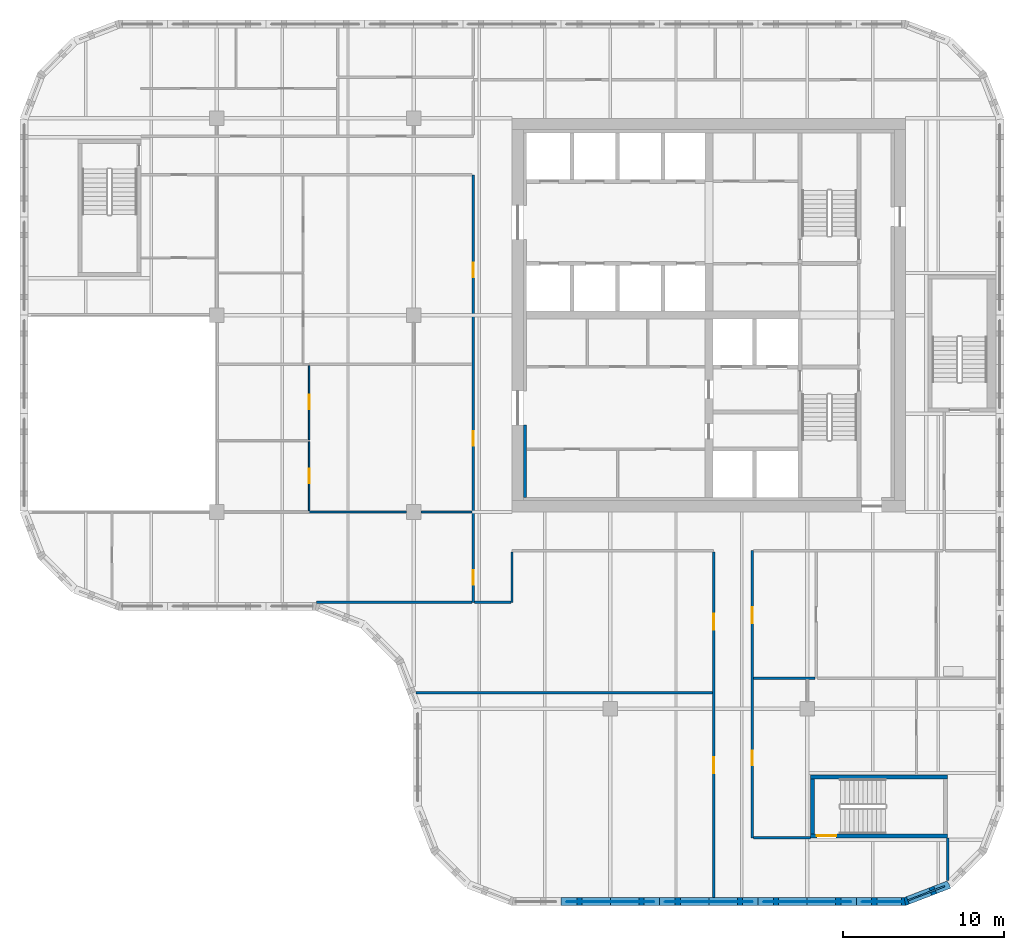
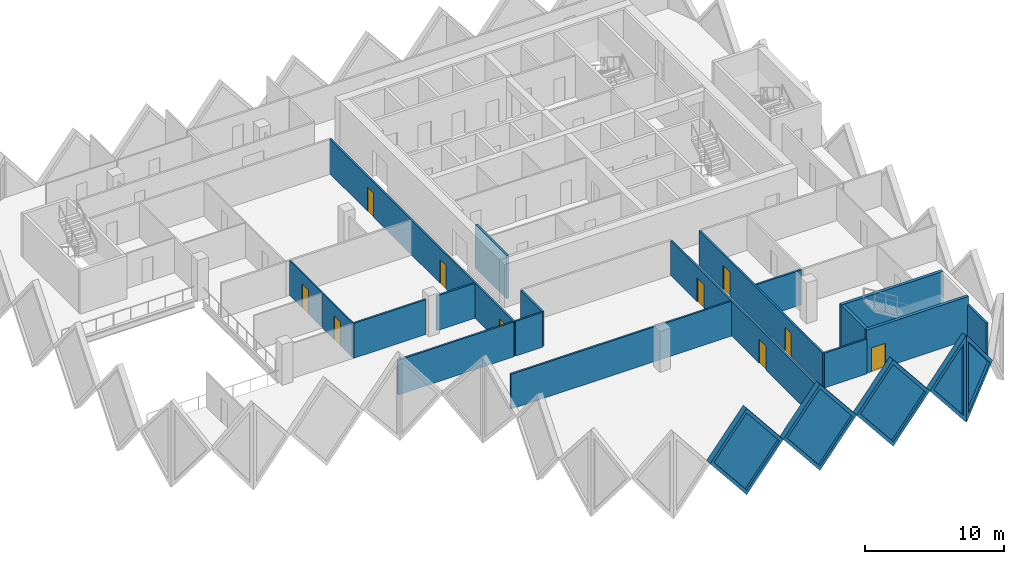
# One storey, part 4 of 12: 23 walls, 10 doors, 5 plates, 15 openings.
"""IFC4 building model written with IfcOpenShell, lengths in metres."""

import ifcopenshell
import ifcopenshell.guid

model = None  # the IFC model being written
_history = None  # IfcOwnerHistory: only IFC2X3 demands one
_inside = {}  # id of a spatial element -> (the spatial element, [elements in it])
_under = {}  # id of a project, library or spatial element -> (it, [spatial elements below it])
_declared = {}  # id of a project -> (the project, [libraries it declares])
_typed = {}  # id of a type object -> (the type object, [elements of that type])
_made_of = {}  # id of a material, layer set ... -> (it, [elements and type objects made of it])


def new_model(schema):
    """Start an empty IFC model of exactly this schema.

    Asked for "IFC4X3", IfcOpenShell would pick the latest addendum, in which some entities
    have other attributes; the version numbers below select the first issue.
    IFC2X3 requires an IfcOwnerHistory on every rooted entity: one is made here for all.
    """
    global model, _history
    if schema == "IFC4X3":
        model = ifcopenshell.file(schema_version=(4, 3, 0, 0))
    else:
        model = ifcopenshell.file(schema=schema)
    _inside.clear()
    _under.clear()
    _declared.clear()
    _typed.clear()
    _made_of.clear()
    _history = None
    if model.schema == "IFC2X3":
        org = make("IfcOrganization", Name="unknown")
        user = make(
            "IfcPersonAndOrganization",
            ThePerson=make("IfcPerson", FamilyName="unknown"),
            TheOrganization=org,
        )
        app = make(
            "IfcApplication",
            ApplicationDeveloper=org,
            Version="unknown",
            ApplicationFullName="unknown",
            ApplicationIdentifier="unknown",
        )
        _history = make(
            "IfcOwnerHistory",
            OwningUser=user,
            OwningApplication=app,
            ChangeAction="ADDED",
            CreationDate=0,
        )
    return model


def make(cls, **values):
    """One entity of the class cls with the attributes given. An attribute that is None is left unset."""
    return model.create_entity(
        cls, **{name: value for name, value in values.items() if value is not None}
    )


def rooted(cls, **values):
    """An entity with a GlobalId (a new one), such as an element, a storey or a relation."""
    return make(cls, GlobalId=ifcopenshell.guid.new(), OwnerHistory=_history, **values)


def si_unit(unit_type, name, prefix=None):
    """IfcSIUnit, for example si_unit("LENGTHUNIT", "METRE", prefix="MILLI")."""
    return make("IfcSIUnit", UnitType=unit_type, Prefix=prefix, Name=name)


def assignment(units):
    """IfcUnitAssignment: the units of a project."""
    return None if units is None else make("IfcUnitAssignment", Units=units)


def point(xyz):
    """IfcCartesianPoint."""
    return None if xyz is None else make("IfcCartesianPoint", Coordinates=xyz)


def direction(xyz):
    """IfcDirection."""
    return None if xyz is None else make("IfcDirection", DirectionRatios=xyz)


def frame(location, z_axis=None, x_axis=None):
    """IfcAxis2Placement3D, a coordinate frame: its origin and axes. An axis left out is left unset."""
    return make(
        "IfcAxis2Placement3D",
        Location=point(location),
        Axis=direction(z_axis),
        RefDirection=direction(x_axis),
    )


def frame_2d(location, x_axis=None):
    """IfcAxis2Placement2D, a coordinate frame in the plane: its origin and x axis."""
    return make(
        "IfcAxis2Placement2D", Location=point(location), RefDirection=direction(x_axis)
    )


def origin():
    """The frame at (0, 0, 0) with its axes left unset."""
    return frame((0.0, 0.0, 0.0))


def place(relative_to, where):
    """IfcLocalPlacement: puts the frame where relative to a parent placement (None: the world)."""
    return make(
        "IfcLocalPlacement", PlacementRelTo=relative_to, RelativePlacement=where
    )


def context(
    kind, dimensions, precision=None, world=None, true_north=None, identifier=None
):
    """IfcGeometricRepresentationContext, for example the 3D "Model" context."""
    return make(
        "IfcGeometricRepresentationContext",
        ContextIdentifier=identifier,
        ContextType=kind,
        CoordinateSpaceDimension=dimensions,
        Precision=precision,
        WorldCoordinateSystem=world,
        TrueNorth=true_north,
    )


def subcontext(parent, identifier, kind, view, scale=None):
    """IfcGeometricRepresentationSubContext, for example "Body" below "Model"."""
    return make(
        "IfcGeometricRepresentationSubContext",
        ContextIdentifier=identifier,
        ContextType=kind,
        ParentContext=parent,
        TargetScale=scale,
        TargetView=view,
    )


def project(units=None, contexts=None):
    """IfcProject with its units and contexts."""
    return rooted(
        "IfcProject",
        Name="project",
        RepresentationContexts=contexts,
        UnitsInContext=assignment(units),
    )


def spatial(cls, under=None, at=None, **own):
    """A site, building, storey or space (cls), placed at a placement, below another one or the project."""
    s = rooted(cls, ObjectPlacement=at, **own)
    if under is not None:
        _under.setdefault(under.id(), (under, []))[1].append(s)
    return s


def polyline(points):
    """IfcPolyline through the points."""
    return make("IfcPolyline", Points=[point(p) for p in points])


def profile(cls, at=None, kind="AREA", **sizes):
    """A parametric profile (cls). Its sizes go by their IFC names, for example OverallWidth=200.0."""
    return make(cls, ProfileType=kind, Position=at, **sizes)


def rectangle(**sizes):
    """IfcRectangleProfileDef."""
    return profile("IfcRectangleProfileDef", **sizes)


def outline(outer, holes=None, kind="AREA"):
    """IfcArbitraryClosedProfileDef: a profile drawn as a closed curve; with holes, ...WithVoids."""
    if holes is None:
        return make("IfcArbitraryClosedProfileDef", ProfileType=kind, OuterCurve=outer)
    return make(
        "IfcArbitraryProfileDefWithVoids",
        ProfileType=kind,
        OuterCurve=outer,
        InnerCurves=holes,
    )


def extrude(swept, where, along, depth):
    """IfcExtrudedAreaSolid: the profile swept, set in the frame where, extruded along a direction by depth."""
    return make(
        "IfcExtrudedAreaSolid",
        SweptArea=swept,
        Position=where,
        ExtrudedDirection=direction(along),
        Depth=depth,
    )


def faces_of(points, faces, orient=None, outer=None):
    """IfcFace entities. A face is a list of loops; a loop is a list of indices into points, from 0.

    orient and outer hold one flag for each loop. By default every Orientation is true, the
    first loop of a face is its IfcFaceOuterBound and the others are IfcFaceBound.
    """
    made = []
    for i, loops in enumerate(faces):
        bounds = []
        for j, loop in enumerate(loops):
            is_outer = j == 0 if outer is None else outer[i][j]
            bounds.append(
                make(
                    "IfcFaceOuterBound" if is_outer else "IfcFaceBound",
                    Bound=make("IfcPolyLoop", Polygon=[points[k] for k in loop]),
                    Orientation=True if orient is None else orient[i][j],
                )
            )
        made.append(make("IfcFace", Bounds=bounds))
    return made


def faceted_brep(points, faces, orient=None, outer=None, voids=None):
    """IfcFacetedBrep: a solid bounded by flat faces; with voids (closed shells), ...WithVoids."""
    shared = [point(p) for p in points]
    hull = make("IfcClosedShell", CfsFaces=faces_of(shared, faces, orient, outer))
    if voids is None:
        return make("IfcFacetedBrep", Outer=hull)
    return make(
        "IfcFacetedBrepWithVoids",
        Outer=hull,
        Voids=[
            make(cls, CfsFaces=faces_of(shared, fs, o, b)) for cls, fs, o, b in voids
        ],
    )


def shape(context_of_items, identifier, shape_type, items):
    """IfcShapeRepresentation: the items that make up one representation, for example the "Body"."""
    return make(
        "IfcShapeRepresentation",
        ContextOfItems=context_of_items,
        RepresentationIdentifier=identifier,
        RepresentationType=shape_type,
        Items=items,
    )


def source(mapping_origin, context_of_items, identifier, shape_type, items):
    """IfcRepresentationMap: a shape defined once, which mapped items show again and again."""
    return make(
        "IfcRepresentationMap",
        MappingOrigin=mapping_origin,
        MappedRepresentation=shape(context_of_items, identifier, shape_type, items),
    )


def transform(
    local_origin,
    x_axis=None,
    y_axis=None,
    z_axis=None,
    scale=None,
    scale2=None,
    scale3=None,
    uniform=True,
):
    """IfcCartesianTransformationOperator3D, or its non-uniform kind. x_axis, y_axis, z_axis: its Axis1, 2, 3."""
    if uniform:
        return make(
            "IfcCartesianTransformationOperator3D",
            Axis1=direction(x_axis),
            Axis2=direction(y_axis),
            LocalOrigin=point(local_origin),
            Scale=scale,
            Axis3=direction(z_axis),
        )
    return make(
        "IfcCartesianTransformationOperator3DnonUniform",
        Axis1=direction(x_axis),
        Axis2=direction(y_axis),
        LocalOrigin=point(local_origin),
        Scale=scale,
        Axis3=direction(z_axis),
        Scale2=scale2,
        Scale3=scale3,
    )


def mapped(mapping_source, mapping_target):
    """IfcMappedItem: shows the shape of a source again, moved by a transform."""
    return make(
        "IfcMappedItem", MappingSource=mapping_source, MappingTarget=mapping_target
    )


def material(Name=None, Category=None):
    """IfcMaterial."""
    return make("IfcMaterial", Name=Name, Category=Category)


def layer(
    of_material, thickness, ventilated=None, Name=None, Category=None, Priority=None
):
    """IfcMaterialLayer: one layer of a wall or slab, of a material (None: an air gap)."""
    return make(
        "IfcMaterialLayer",
        Material=of_material,
        LayerThickness=thickness,
        IsVentilated=ventilated,
        Name=Name,
        Category=Category,
        Priority=Priority,
    )


def layer_set(layers, Name=None):
    """IfcMaterialLayerSet."""
    return make("IfcMaterialLayerSet", MaterialLayers=layers, LayerSetName=Name)


def made_of(thing, what):
    """Note that an element or type object is made of a material, layer set ...; save() writes the relation."""
    if what is not None:
        _made_of.setdefault(what.id(), (what, []))[1].append(thing)
    return thing


def type_object(cls, material=None, **own):
    """A type object (cls), such as IfcWallType, which elements share."""
    return made_of(rooted(cls, **own), material)


def element(
    cls,
    number,
    at=None,
    inside=None,
    cuts=None,
    type_object=None,
    material=None,
    context=None,
    identifier="Body",
    shape_type=None,
    held_by="IfcProductDefinitionShape",
    body=None,
    shapes=None,
    **own,
):
    """One element of the class cls, such as IfcWall. Its Tag is "e" and its number.

    at: its placement. inside: the storey or other place that contains it. cuts: it is an
    opening in that element (IfcRelVoidsElement). A single representation is given by context,
    identifier, shape_type and body (its items); several are given by shapes. held_by: the class
    of the entity that holds the representations. save() writes the other relations.
    """
    e = rooted(cls, Tag="e%d" % number, ObjectPlacement=at, **own)
    if body is not None:
        shapes = [shape(context, identifier, shape_type, body)]
    if shapes is not None:
        e.Representation = make(held_by, Representations=shapes)
    if inside is not None:
        _inside.setdefault(inside.id(), (inside, []))[1].append(e)
    if cuts is not None:
        rooted(
            "IfcRelVoidsElement", RelatingBuildingElement=cuts, RelatedOpeningElement=e
        )
    if type_object is not None:
        _typed.setdefault(type_object.id(), (type_object, []))[1].append(e)
    return made_of(e, material)


def fill(opening, filler):
    """IfcRelFillsElement: the door or window that sits in an opening."""
    return rooted(
        "IfcRelFillsElement",
        RelatingOpeningElement=opening,
        RelatedBuildingElement=filler,
    )


def aggregate(whole, parts):
    """IfcRelAggregates: a whole, such as a stair, and the parts it consists of."""
    return rooted("IfcRelAggregates", RelatingObject=whole, RelatedObjects=parts)


def save(model, path):
    """Write the relations noted so far, then the file.

    IfcRelAggregates (storeys below a building ...), IfcRelContainedInSpatialStructure (elements
    in a storey), IfcRelDefinesByType, IfcRelAssociatesMaterial and IfcRelDeclares: one each for
    every whole, place, type object, material and project.
    """
    for whole, parts in _under.values():
        aggregate(whole, parts)
    for where, things in _inside.values():
        rooted(
            "IfcRelContainedInSpatialStructure",
            RelatedElements=things,
            RelatingStructure=where,
        )
    for kind, things in _typed.values():
        rooted("IfcRelDefinesByType", RelatedObjects=things, RelatingType=kind)
    for what, things in _made_of.values():
        rooted("IfcRelAssociatesMaterial", RelatedObjects=things, RelatingMaterial=what)
    for by, libraries in _declared.values():
        rooted("IfcRelDeclares", RelatingContext=by, RelatedDefinitions=libraries)
    model.write(path)


model = new_model("IFC4")

# Units and contexts
model_context = context("Model", 3, precision=1e-05, world=origin(), true_north=direction((0.0, 1.0)))
body_context = subcontext(model_context, "Body", "Model", "MODEL_VIEW")
ifc_project = project(units=[si_unit("LENGTHUNIT", "METRE"), si_unit("AREAUNIT", "SQUARE_METRE"), si_unit("VOLUMEUNIT", "CUBIC_METRE"), si_unit("PLANEANGLEUNIT", "RADIAN"), si_unit("MASSUNIT", "GRAM", prefix="KILO")], contexts=[model_context])

# Site, building, storey
site_placement = place(None, origin())
site = spatial("IfcSite", under=ifc_project, at=site_placement, CompositionType="ELEMENT")
building_placement = place(site_placement, origin())
building = spatial("IfcBuilding", under=site, at=building_placement, Name="Tessera Gate Towers", CompositionType="ELEMENT")
storey_placement = place(building_placement, frame((0.0, 0.0, 127.800048828125)))
storey = spatial("IfcBuildingStorey", under=building, at=storey_placement, Name="L31", CompositionType="ELEMENT", Elevation=127.800048828125)

# Wall, opening, door
ifc_material_1 = material(Name="Concrete C40/50", Category="concrete")
ifc_layer_1 = layer(ifc_material_1, 0.25)
ifc_layer_set_1 = layer_set([ifc_layer_1], Name="CORE ENCLOSURE WALL 250")
wall_type_1 = type_object("IfcWallType", Name="CORE ENCLOSURE WALL 250", PredefinedType="SOLIDWALL", material=ifc_layer_set_1)
wall_1_placement = place(storey_placement, frame((57.5, 4.324951171875, 0.0), z_axis=(0.0, 0.0, 1.0), x_axis=(-1.0, 0.0, 0.0)))
wall_1 = element("IfcWall", 1, at=wall_1_placement, inside=storey, type_object=wall_type_1, Name="L31 ST4 enclosure wall", PredefinedType="SOLIDWALL", context=body_context, shape_type="SweptSolid", body=[
    extrude(rectangle(XDim=8.5, YDim=0.25, at=frame_2d((4.25, 0.0))), origin(), (0.0, 0.0, 1.0), 3.800048828125),
])
shared_shape_1 = source(origin(), body_context, "Body", "SweptSolid", [
    extrude(rectangle(XDim=1.199951171875, YDim=2.10009765625, at=frame_2d((0.60009765625, 1.050048828125))), frame((0.0, 0.135009765625, 0.0), z_axis=(0.0, -1.0, 0.0), x_axis=(1.0, 0.0, 0.0)), (0.0, 0.0, 1.0), 0.27001953125),
])
opening_1_placement = place(wall_1_placement, frame((6.89990234375, 0.0, 0.0)))
opening_1 = element("IfcOpeningElement", 2, at=opening_1_placement, cuts=wall_1, Name="Opening SD-ST4-1", PredefinedType="OPENING", context=body_context, shape_type="MappedRepresentation", body=[
    mapped(shared_shape_1, transform((0.0, 0.0, 0.0), scale=1.0)),
])
ifc_material_2 = material(Name="Hollow steel fire door", Category="steel")
door_type_1 = type_object("IfcDoorType", Name="CORE DOOR SD 1200x2100", OperationType="NOTDEFINED", PredefinedType="DOOR", material=ifc_material_2)
shared_shape_2 = source(origin(), body_context, "Body", "SweptSolid", [
    extrude(rectangle(XDim=1.199951171875, YDim=2.10009765625, at=frame_2d((0.60009765625, 1.050048828125))), frame((0.0, 0.02490234375, 0.0), z_axis=(0.0, -1.0, 0.0), x_axis=(1.0, 0.0, 0.0)), (0.0, 0.0, 1.0), 0.050048828125),
])
door_1_placement = place(opening_1_placement, origin())
door_1 = element("IfcDoor", 3, at=door_1_placement, inside=storey, type_object=door_type_1, Name="Stair door", OperationType="SINGLE_SWING_RIGHT", OverallHeight=2.10009765625, OverallWidth=1.199951171875, PredefinedType="DOOR", context=body_context, shape_type="MappedRepresentation", body=[
    mapped(shared_shape_2, transform((0.0, 0.0, 0.0), scale=1.0)),
])
fill(opening_1, door_1)

# Walls
wall_2_placement = place(storey_placement, frame((49.125, 4.449951171875, 0.0), z_axis=(0.0, 0.0, 1.0), x_axis=(0.0, 1.0, 0.0)))
element("IfcWall", 4, at=wall_2_placement, inside=storey, type_object=wall_type_1, Name="L31 ST4 enclosure wall", PredefinedType="SOLIDWALL", context=body_context, shape_type="SweptSolid", body=[
    extrude(rectangle(XDim=3.400146484375, YDim=0.25, at=frame_2d((1.7001953125, 0.0))), origin(), (0.0, 0.0, 1.0), 3.800048828125),
])
wall_3_placement = place(storey_placement, frame((49.0, 7.97509765625, 0.0), z_axis=(0.0, 0.0, 1.0), x_axis=(1.0, 0.0, 0.0)))
element("IfcWall", 5, at=wall_3_placement, inside=storey, type_object=wall_type_1, Name="L31 ST4 enclosure wall", PredefinedType="SOLIDWALL", context=body_context, shape_type="SweptSolid", body=[
    extrude(rectangle(XDim=8.5, YDim=0.25, at=frame_2d((4.25, 0.0))), origin(), (0.0, 0.0, 1.0), 3.800048828125),
])
ifc_material_3 = material(Name="Concrete C60/75", Category="concrete")
ifc_layer_2 = layer(ifc_material_3, 0.199951171875)
ifc_layer_set_2 = layer_set([ifc_layer_2], Name="CORE WALL THICKENING 200")
wall_type_2 = type_object("IfcWallType", Name="CORE WALL THICKENING 200", PredefinedType="SOLIDWALL", material=ifc_layer_set_2)
wall_4_placement = place(storey_placement, frame((31.300048828125, 25.300048828125, 0.0), z_axis=(0.0, 0.0, 1.0), x_axis=(0.0, 1.0, 0.0)))
element("IfcWall", 6, at=wall_4_placement, inside=storey, type_object=wall_type_2, Name="Core wall thickening W L31", PredefinedType="SOLIDWALL", context=body_context, shape_type="SweptSolid", body=[
    extrude(rectangle(XDim=4.5, YDim=0.199951171875, at=frame_2d((2.25, 0.0))), origin(), (0.0, 0.0, 1.0), 3.800048828125),
])

# Wall, openings, doors
ifc_material_4 = material(Name="Gypsum board on steel studs, mineral wool", Category="steel")
ifc_layer_3 = layer(ifc_material_4, 0.14990234375)
ifc_layer_set_3 = layer_set([ifc_layer_3], Name="CORRIDOR WALL 150")
wall_type_3 = type_object("IfcWallType", Name="CORRIDOR WALL 150", PredefinedType="PARTITIONING", material=ifc_layer_set_3)
wall_5_placement = place(storey_placement, frame((43.0, 0.5, 0.0), z_axis=(0.0, 0.0, 1.0), x_axis=(0.0, 1.0, 0.0)))
wall_5 = element("IfcWall", 7, at=wall_5_placement, inside=storey, type_object=wall_type_3, Name="T1-L31-PW-001", PredefinedType="PARTITIONING", context=body_context, shape_type="SweptSolid", body=[
    extrude(rectangle(XDim=21.424072265625, YDim=0.14990234375, at=frame_2d((10.7119140625, 0.0))), origin(), (0.0, 0.0, 1.0), 3.06689453125),
])
shared_shape_3 = source(origin(), body_context, "Body", "SweptSolid", [
    extrude(rectangle(XDim=1.0, YDim=2.10009765625, at=frame_2d((0.5, 1.050048828125))), frame((0.0, 0.0849609375, 0.0), z_axis=(0.0, -1.0, 0.0), x_axis=(1.0, 0.0, 0.0)), (0.0, 0.0, 1.0), 0.169921875),
])
opening_2_placement = place(wall_5_placement, frame((16.60107421875, 0.0, 0.0)))
opening_2 = element("IfcOpeningElement", 8, at=opening_2_placement, cuts=wall_5, Name="Opening D2100FD60-A11-02", PredefinedType="OPENING", context=body_context, shape_type="MappedRepresentation", body=[
    mapped(shared_shape_3, transform((0.0, 0.0, 0.0), scale=1.0)),
])
opening_3_placement = place(wall_5_placement, frame((7.699951171875, 0.0, 0.0)))
opening_3 = element("IfcOpeningElement", 9, at=opening_3_placement, cuts=wall_5, Name="Opening D2100FD60-A11-03", PredefinedType="OPENING", context=body_context, shape_type="MappedRepresentation", body=[
    mapped(shared_shape_3, transform((0.0, 0.0, 0.0), scale=1.0)),
])
ifc_material_5 = material(Name="Timber door leaf in steel frame", Category="steel")
door_type_2 = type_object("IfcDoorType", Name="TENANCY ENTRANCE DOOR 1000 FD60", OperationType="NOTDEFINED", PredefinedType="DOOR", material=ifc_material_5)
shared_shape_4 = source(origin(), body_context, "Body", "SweptSolid", [
    extrude(rectangle(XDim=1.0, YDim=2.10009765625, at=frame_2d((0.5, 1.050048828125))), frame((0.0, 0.02490234375, 0.0), z_axis=(0.0, -1.0, 0.0), x_axis=(1.0, 0.0, 0.0)), (0.0, 0.0, 1.0), 0.050048828125),
])
door_2_placement = place(opening_2_placement, origin())
door_2 = element("IfcDoor", 10, at=door_2_placement, inside=storey, type_object=door_type_2, Name="T1-L31-PD-018", OperationType="SINGLE_SWING_LEFT", OverallHeight=2.10009765625, OverallWidth=1.0, PredefinedType="DOOR", context=body_context, shape_type="MappedRepresentation", body=[
    mapped(shared_shape_4, transform((0.0, 0.0, 0.0), scale=1.0)),
])
fill(opening_2, door_2)
door_3_placement = place(opening_3_placement, origin())
door_3 = element("IfcDoor", 11, at=door_3_placement, inside=storey, type_object=door_type_2, Name="T1-L31-PD-019", OperationType="SINGLE_SWING_LEFT", OverallHeight=2.10009765625, OverallWidth=1.0, PredefinedType="DOOR", context=body_context, shape_type="MappedRepresentation", body=[
    mapped(shared_shape_4, transform((0.0, 0.0, 0.0), scale=1.0)),
])
fill(opening_3, door_3)

# Wall
wall_6_placement = place(storey_placement, frame((57.5, 1.55908203125, 0.0), z_axis=(0.0, 0.0, 1.0), x_axis=(0.0, 1.0, 0.0)))
element("IfcWall", 12, at=wall_6_placement, inside=storey, type_object=wall_type_3, Name="T1-L31-PW-002", PredefinedType="PARTITIONING", context=body_context, shape_type="SweptSolid", body=[
    extrude(rectangle(XDim=2.640869140625, YDim=0.14990234375, at=frame_2d((1.3203125, 0.0))), origin(), (0.0, 0.0, 1.0), 3.06689453125),
])

# Wall, openings, doors
wall_7_placement = place(storey_placement, frame((45.39990234375, 22.0, 0.0), z_axis=(0.0, 0.0, 1.0), x_axis=(0.0, -1.0, 0.0)))
wall_7 = element("IfcWall", 13, at=wall_7_placement, inside=storey, type_object=wall_type_3, Name="T1-L31-PW-003", PredefinedType="PARTITIONING", context=body_context, shape_type="SweptSolid", body=[
    extrude(rectangle(XDim=17.800048828125, YDim=0.14990234375, at=frame_2d((8.89990234375, 0.0))), origin(), (0.0, 0.0, 1.0), 3.06689453125),
])
opening_4_placement = place(wall_7_placement, frame((3.4990234375, 0.0, 0.0)))
opening_4 = element("IfcOpeningElement", 14, at=opening_4_placement, cuts=wall_7, Name="Opening D2100FD60-A11-01", PredefinedType="OPENING", context=body_context, shape_type="MappedRepresentation", body=[
    mapped(shared_shape_3, transform((0.0, 0.0, 0.0), scale=1.0)),
])
shared_shape_5 = source(origin(), body_context, "Body", "SweptSolid", [
    extrude(rectangle(XDim=0.89990234375, YDim=2.10009765625, at=frame_2d((0.449951171875, 1.050048828125))), frame((0.0, 0.0849609375, 0.0), z_axis=(0.0, -1.0, 0.0), x_axis=(1.0, 0.0, 0.0)), (0.0, 0.0, 1.0), 0.169921875),
])
opening_5_placement = place(wall_7_placement, frame((12.39990234375, 0.0, 0.0)))
opening_5 = element("IfcOpeningElement", 15, at=opening_5_placement, cuts=wall_7, Name="Opening D890FD60-A11-05", PredefinedType="OPENING", context=body_context, shape_type="MappedRepresentation", body=[
    mapped(shared_shape_5, transform((0.0, 0.0, 0.0), scale=1.0)),
])
ifc_material_6 = material(Name="Timber door leaf in steel frame", Category="steel")
door_type_3 = type_object("IfcDoorType", Name="CORRIDOR DOOR 900 FD60", OperationType="NOTDEFINED", PredefinedType="DOOR", material=ifc_material_6)
shared_shape_6 = source(origin(), body_context, "Body", "SweptSolid", [
    extrude(rectangle(XDim=0.89990234375, YDim=2.10009765625, at=frame_2d((0.449951171875, 1.050048828125))), frame((0.0, 0.02490234375, 0.0), z_axis=(0.0, -1.0, 0.0), x_axis=(1.0, 0.0, 0.0)), (0.0, 0.0, 1.0), 0.050048828125),
])
door_4_placement = place(opening_5_placement, origin())
door_4 = element("IfcDoor", 16, at=door_4_placement, inside=storey, type_object=door_type_3, Name="T1-L31-PD-021", OperationType="SINGLE_SWING_RIGHT", OverallHeight=2.10009765625, OverallWidth=0.89990234375, PredefinedType="DOOR", context=body_context, shape_type="MappedRepresentation", body=[
    mapped(shared_shape_6, transform((0.0, 0.0, 0.0), scale=1.0)),
])
fill(opening_5, door_4)
door_5_placement = place(opening_4_placement, origin())
door_5 = element("IfcDoor", 17, at=door_5_placement, inside=storey, type_object=door_type_2, Name="T1-L31-PD-014", OperationType="SINGLE_SWING_RIGHT", OverallHeight=2.10009765625, OverallWidth=1.0, PredefinedType="DOOR", context=body_context, shape_type="MappedRepresentation", body=[
    mapped(shared_shape_4, transform((0.0, 0.0, 0.0), scale=1.0)),
])
fill(opening_4, door_5)

# Wall
wall_8_placement = place(storey_placement, frame((45.47607421875, 4.199951171875, 0.0), z_axis=(0.0, 0.0, 1.0), x_axis=(1.0, 0.0, 0.0)))
element("IfcWall", 18, at=wall_8_placement, inside=storey, type_object=wall_type_3, Name="T1-L31-PW-004", PredefinedType="PARTITIONING", context=body_context, shape_type="SweptSolid", body=[
    extrude(rectangle(XDim=3.52392578125, YDim=0.14990234375, at=frame_2d((1.761962890625, 0.0))), origin(), (0.0, 0.0, 1.0), 3.06689453125),
])

# Wall, openings, doors
wall_9_placement = place(storey_placement, frame((28.10009765625, 18.800048828125, 0.0), z_axis=(0.0, 0.0, 1.0), x_axis=(0.0, 1.0, 0.0)))
wall_9 = element("IfcWall", 19, at=wall_9_placement, inside=storey, type_object=wall_type_3, Name="T1-L31-PW-013", PredefinedType="PARTITIONING", context=body_context, shape_type="SweptSolid", body=[
    extrude(rectangle(XDim=26.5, YDim=0.14990234375, at=frame_2d((13.25, 0.0))), origin(), (0.0, 0.0, 1.0), 3.06689453125),
])
opening_6_placement = place(wall_9_placement, frame((1.10009765625, 0.0, 0.0)))
opening_6 = element("IfcOpeningElement", 20, at=opening_6_placement, cuts=wall_9, Name="Opening D890FD60-A11-01", PredefinedType="OPENING", context=body_context, shape_type="MappedRepresentation", body=[
    mapped(shared_shape_5, transform((0.0, 0.0, 0.0), scale=1.0)),
])
opening_7_placement = place(wall_9_placement, frame((9.699951171875, 0.0, 0.0)))
opening_7 = element("IfcOpeningElement", 21, at=opening_7_placement, cuts=wall_9, Name="Opening D890FD60-A11-04", PredefinedType="OPENING", context=body_context, shape_type="MappedRepresentation", body=[
    mapped(shared_shape_5, transform((0.0, 0.0, 0.0), scale=1.0)),
])
opening_8_placement = place(wall_9_placement, frame((20.14990234375, 0.0, 0.0)))
opening_8 = element("IfcOpeningElement", 22, at=opening_8_placement, cuts=wall_9, Name="Opening D890FD60-A11-06", PredefinedType="OPENING", context=body_context, shape_type="MappedRepresentation", body=[
    mapped(shared_shape_5, transform((0.0, 0.0, 0.0), scale=1.0)),
])
door_6_placement = place(opening_6_placement, origin())
door_6 = element("IfcDoor", 23, at=door_6_placement, inside=storey, type_object=door_type_3, Name="T1-L31-PD-001", OperationType="SINGLE_SWING_LEFT", OverallHeight=2.10009765625, OverallWidth=0.89990234375, PredefinedType="DOOR", context=body_context, shape_type="MappedRepresentation", body=[
    mapped(shared_shape_6, transform((0.0, 0.0, 0.0), scale=1.0)),
])
fill(opening_6, door_6)
door_7_placement = place(opening_7_placement, origin())
door_7 = element("IfcDoor", 24, at=door_7_placement, inside=storey, type_object=door_type_3, Name="T1-L31-PD-020", OperationType="SINGLE_SWING_LEFT", OverallHeight=2.10009765625, OverallWidth=0.89990234375, PredefinedType="DOOR", context=body_context, shape_type="MappedRepresentation", body=[
    mapped(shared_shape_6, transform((0.0, 0.0, 0.0), scale=1.0)),
])
fill(opening_7, door_7)
door_8_placement = place(opening_8_placement, origin())
door_8 = element("IfcDoor", 25, at=door_8_placement, inside=storey, type_object=door_type_3, Name="T1-L31-PD-022", OperationType="SINGLE_SWING_LEFT", OverallHeight=2.10009765625, OverallWidth=0.89990234375, PredefinedType="DOOR", context=body_context, shape_type="MappedRepresentation", body=[
    mapped(shared_shape_6, transform((0.0, 0.0, 0.0), scale=1.0)),
])
fill(opening_8, door_8)

# Walls
wall_10_placement = place(storey_placement, frame((28.176025390625, 18.800048828125, 0.0), z_axis=(0.0, 0.0, 1.0), x_axis=(1.0, 0.0, 0.0)))
element("IfcWall", 26, at=wall_10_placement, inside=storey, type_object=wall_type_3, Name="T1-L31-PW-014", PredefinedType="PARTITIONING", context=body_context, shape_type="SweptSolid", body=[
    extrude(rectangle(XDim=2.248046875, YDim=0.14990234375, at=frame_2d((1.1240234375, 0.0))), origin(), (0.0, 0.0, 1.0), 3.06689453125),
])
wall_11_placement = place(storey_placement, frame((30.5, 18.800048828125, 0.0), z_axis=(0.0, 0.0, 1.0), x_axis=(0.0, 1.0, 0.0)))
element("IfcWall", 27, at=wall_11_placement, inside=storey, type_object=wall_type_3, Name="T1-L31-PW-015", PredefinedType="PARTITIONING", context=body_context, shape_type="SweptSolid", body=[
    extrude(rectangle(XDim=3.1240234375, YDim=0.14990234375, at=frame_2d((1.56201171875, 0.0))), origin(), (0.0, 0.0, 1.0), 3.06689453125),
])

# Wall, opening, door
ifc_material_7 = material(Name="Glass", Category="glass")
ifc_layer_4 = layer(ifc_material_7, 0.10009765625)
ifc_layer_set_4 = layer_set([ifc_layer_4], Name="GLAZED PARTITION 100")
wall_type_4 = type_object("IfcWallType", Name="GLAZED PARTITION 100", PredefinedType="PARTITIONING", material=ifc_layer_set_4)
wall_12_placement = place(storey_placement, frame((17.925048828125, 24.47607421875, 0.0), z_axis=(0.0, 0.0, 1.0), x_axis=(0.0, 1.0, 0.0)))
wall_12 = element("IfcWall", 28, at=wall_12_placement, inside=storey, type_object=wall_type_4, Name="T1-L31-PW-024", PredefinedType="PARTITIONING", context=body_context, shape_type="SweptSolid", body=[
    extrude(rectangle(XDim=4.293212890625, YDim=0.10009765625, at=frame_2d((2.146484375, 0.0))), origin(), (0.0, 0.0, 1.0), 3.06689453125),
])
shared_shape_7 = source(origin(), body_context, "Body", "SweptSolid", [
    extrude(rectangle(XDim=0.89990234375, YDim=2.10009765625, at=frame_2d((0.449951171875, 1.050048828125))), frame((0.0, 0.06005859375, 0.0), z_axis=(0.0, -1.0, 0.0), x_axis=(1.0, 0.0, 0.0)), (0.0, 0.0, 1.0), 0.1201171875),
])
opening_9_placement = place(wall_12_placement, frame((1.699951171875, 0.0, 0.0)))
opening_9 = element("IfcOpeningElement", 29, at=opening_9_placement, cuts=wall_12, Name="Opening D690-A11-01", PredefinedType="OPENING", context=body_context, shape_type="MappedRepresentation", body=[
    mapped(shared_shape_7, transform((0.0, 0.0, 0.0), scale=1.0)),
])
ifc_material_8 = material(Name="Glass in aluminium frame", Category="aluminium")
door_type_4 = type_object("IfcDoorType", Name="GLAZED DOOR 900 NOT RATED", OperationType="NOTDEFINED", PredefinedType="DOOR", material=ifc_material_8)
door_9_placement = place(opening_9_placement, origin())
door_9 = element("IfcDoor", 30, at=door_9_placement, inside=storey, type_object=door_type_4, Name="T1-L31-PD-002", OperationType="SINGLE_SWING_LEFT", OverallHeight=2.10009765625, OverallWidth=0.89990234375, PredefinedType="DOOR", context=body_context, shape_type="MappedRepresentation", body=[
    mapped(shared_shape_6, transform((0.0, 0.0, 0.0), scale=1.0)),
])
fill(opening_9, door_9)

wall_13_placement = place(storey_placement, frame((17.925048828125, 28.871337890625, 0.0), z_axis=(0.0, 0.0, 1.0), x_axis=(0.0, 1.0, 0.0)))
wall_13 = element("IfcWall", 31, at=wall_13_placement, inside=storey, type_object=wall_type_4, Name="T1-L31-PW-026", PredefinedType="PARTITIONING", context=body_context, shape_type="SweptSolid", body=[
    extrude(rectangle(XDim=4.602783203125, YDim=0.10009765625, at=frame_2d((2.30126953125, 0.0))), origin(), (0.0, 0.0, 1.0), 3.06689453125),
])
opening_10_placement = place(wall_13_placement, frame((1.89990234375, 0.0, 0.0)))
opening_10 = element("IfcOpeningElement", 32, at=opening_10_placement, cuts=wall_13, Name="Opening D690-A11-02", PredefinedType="OPENING", context=body_context, shape_type="MappedRepresentation", body=[
    mapped(shared_shape_7, transform((0.0, 0.0, 0.0), scale=1.0)),
])
door_10_placement = place(opening_10_placement, origin())
door_10 = element("IfcDoor", 33, at=door_10_placement, inside=storey, type_object=door_type_4, Name="T1-L31-PD-003", OperationType="SINGLE_SWING_LEFT", OverallHeight=2.10009765625, OverallWidth=0.89990234375, PredefinedType="DOOR", context=body_context, shape_type="MappedRepresentation", body=[
    mapped(shared_shape_6, transform((0.0, 0.0, 0.0), scale=1.0)),
])
fill(opening_10, door_10)

# Walls
ifc_material_9 = material(Name="Gypsum board on steel studs, mineral wool", Category="steel")
ifc_layer_5 = layer(ifc_material_9, 0.14990234375)
ifc_layer_set_5 = layer_set([ifc_layer_5], Name="TENANCY WALL 150")
wall_type_5 = type_object("IfcWallType", Name="TENANCY WALL 150", PredefinedType="PARTITIONING", material=ifc_layer_set_5)
wall_14_placement = place(storey_placement, frame((24.55029296875, 13.199951171875, 0.0), z_axis=(0.0, 0.0, 1.0), x_axis=(1.0, 0.0, 0.0)))
element("IfcWall", 34, at=wall_14_placement, inside=storey, type_object=wall_type_5, Name="T1-L31-PW-007", PredefinedType="PARTITIONING", context=body_context, shape_type="SweptSolid", body=[
    extrude(rectangle(XDim=18.373779296875, YDim=0.14990234375, at=frame_2d((9.18701171875, 0.0))), origin(), (0.0, 0.0, 1.0), 3.06689453125),
])
wall_15_placement = place(storey_placement, frame((45.47607421875, 14.10009765625, 0.0), z_axis=(0.0, 0.0, 1.0), x_axis=(1.0, 0.0, 0.0)))
element("IfcWall", 35, at=wall_15_placement, inside=storey, type_object=wall_type_5, Name="T1-L31-PW-008", PredefinedType="PARTITIONING", context=body_context, shape_type="SweptSolid", body=[
    extrude(rectangle(XDim=3.7978515625, YDim=0.14990234375, at=frame_2d((1.89892578125, 0.0))), origin(), (0.0, 0.0, 1.0), 3.06689453125),
])
wall_16_placement = place(storey_placement, frame((18.39306640625, 18.800048828125, 0.0), z_axis=(0.0, 0.0, 1.0), x_axis=(1.0, 0.0, 0.0)))
element("IfcWall", 36, at=wall_16_placement, inside=storey, type_object=wall_type_5, Name="T1-L31-PW-012", PredefinedType="PARTITIONING", context=body_context, shape_type="SweptSolid", body=[
    extrude(rectangle(XDim=9.630859375, YDim=0.14990234375, at=frame_2d((4.8154296875, 0.0))), origin(), (0.0, 0.0, 1.0), 3.06689453125),
])
wall_17_placement = place(storey_placement, frame((17.925048828125, 24.39990234375, 0.0), z_axis=(0.0, 0.0, 1.0), x_axis=(1.0, 0.0, 0.0)))
element("IfcWall", 37, at=wall_17_placement, inside=storey, type_object=wall_type_5, Name="T1-L31-PW-022", PredefinedType="PARTITIONING", context=body_context, shape_type="SweptSolid", body=[
    extrude(rectangle(XDim=6.02392578125, YDim=0.14990234375, at=frame_2d((3.011962890625, 0.0))), origin(), (0.0, 0.0, 1.0), 3.06689453125),
])
wall_18_placement = place(storey_placement, frame((24.85107421875, 24.39990234375, 0.0), z_axis=(0.0, 0.0, 1.0), x_axis=(1.0, 0.0, 0.0)))
element("IfcWall", 38, at=wall_18_placement, inside=storey, type_object=wall_type_5, Name="T1-L31-PW-023", PredefinedType="PARTITIONING", context=body_context, shape_type="SweptSolid", body=[
    extrude(rectangle(XDim=3.1728515625, YDim=0.14990234375, at=frame_2d((1.58642578125, 0.0))), origin(), (0.0, 0.0, 1.0), 3.06689453125),
])

# Wall, opening, plate
ifc_material_10 = material(Name="Precast concrete C60/75 white", Category="concrete")
ifc_layer_6 = layer(ifc_material_10, 0.5)
ifc_layer_set_6 = layer_set([ifc_layer_6], Name="TS1 tessera")
wall_type_6 = type_object("IfcWallType", Name="TS1 tessera", PredefinedType="SOLIDWALL", material=ifc_layer_set_6)
shared_shape_8 = source(origin(), body_context, "Body", "Brep", [
    faceted_brep([(3.050048828125, -0.25, 0.0), (6.099853515625, -0.25, 3.7998046875), (6.099853515625, -0.25, 3.80029296875), (3.050048828125, -0.25, 7.60009765625), (0.0, -0.25, 3.800048828125), (0.0, 0.25, 3.800048828125), (3.050048828125, 0.25, 7.60009765625), (6.099853515625, 0.25, 3.80029296875), (6.099853515625, 0.25, 3.7998046875), (3.050048828125, 0.25, 0.0)], [[[0, 1, 2, 3, 4]], [[5, 6, 7, 8, 9]], [[9, 8, 1, 0]], [[7, 6, 3, 2]], [[6, 5, 4, 3]], [[5, 9, 0, 4]], [[1, 8, 7, 2]]]),
])
wall_19_placement = place(storey_placement, frame((33.550048828125, 0.25, -3.800048828125), z_axis=(0.0, 0.0, 1.0), x_axis=(1.0, 0.0, 0.0)))
wall_19 = element("IfcWall", 39, at=wall_19_placement, inside=storey, type_object=wall_type_6, Name="Precast tessera T1 TS1-0506", PredefinedType="SOLIDWALL", context=body_context, shape_type="MappedRepresentation", body=[
    mapped(shared_shape_8, transform((0.0, 0.0, 0.0), scale=1.0)),
])
shared_shape_9 = source(origin(), body_context, "Body", "SweptSolid", [
    extrude(outline(polyline([(3.050048828125, 0.3994140625), (5.779541015625, 3.800048828125), (3.050048828125, 7.20068359375), (0.320556640625, 3.800048828125), (3.050048828125, 0.3994140625)])), frame((0.0, 0.260009765625, 0.0), z_axis=(0.0, -1.0, 0.0), x_axis=(1.0, 0.0, 0.0)), (0.0, 0.0, 1.0), 0.52001953125),
])
opening_11_placement = place(wall_19_placement, origin())
opening_11 = element("IfcOpeningElement", 40, at=opening_11_placement, cuts=wall_19, Name="Opening T1-PL2-1036", PredefinedType="OPENING", context=body_context, shape_type="MappedRepresentation", body=[
    mapped(shared_shape_9, transform((0.0, 0.0, 0.0), scale=1.0)),
])
ifc_material_11 = material(Name="Low-e laminated glass", Category="glass")
ifc_layer_7 = layer(ifc_material_11, 0.06005859375)
ifc_layer_set_7 = layer_set([ifc_layer_7], Name="PL2 rhombic pane")
plate_type = type_object("IfcPlateType", Name="PL2 rhombic pane", PredefinedType="SHEET", material=ifc_layer_set_7)
shared_shape_10 = source(origin(), body_context, "Body", "SweptSolid", [
    extrude(outline(polyline([(3.050048828125, 0.3994140625), (5.779541015625, 3.800048828125), (3.050048828125, 7.20068359375), (0.320556640625, 3.800048828125), (3.050048828125, 0.3994140625)])), frame((0.0, 0.030029296875, 0.0), z_axis=(0.0, -1.0, 0.0), x_axis=(1.0, 0.0, 0.0)), (0.0, 0.0, 1.0), 0.06005859375),
])
plate_1_placement = place(opening_11_placement, origin())
plate_1 = element("IfcPlate", 41, at=plate_1_placement, inside=storey, type_object=plate_type, Name="Glass pane T1 PL2-1036", PredefinedType="SHEET", context=body_context, shape_type="MappedRepresentation", body=[
    mapped(shared_shape_10, transform((0.0, 0.0, 0.0), scale=1.0)),
])
fill(opening_11, plate_1)

shared_shape_11 = source(origin(), body_context, "Body", "SweptSolid", [
    extrude(outline(polyline([(3.050048828125, 0.0), (6.10009765625, 3.800048828125), (3.050048828125, 7.60009765625), (0.0, 3.800048828125), (3.050048828125, 0.0)])), frame((0.0, 0.25, 0.0), z_axis=(0.0, -1.0, 0.0), x_axis=(1.0, 0.0, 0.0)), (0.0, 0.0, 1.0), 0.5),
])
wall_20_placement = place(storey_placement, frame((39.64990234375, 0.25, -3.800048828125), z_axis=(0.0, 0.0, 1.0), x_axis=(1.0, 0.0, 0.0)))
wall_20 = element("IfcWall", 42, at=wall_20_placement, inside=storey, type_object=wall_type_6, Name="Precast tessera T1 TS1-0507", PredefinedType="SOLIDWALL", context=body_context, shape_type="MappedRepresentation", body=[
    mapped(shared_shape_11, transform((0.0, 0.0, 0.0), scale=1.0)),
])
opening_12_placement = place(wall_20_placement, origin())
opening_12 = element("IfcOpeningElement", 43, at=opening_12_placement, cuts=wall_20, Name="Opening T1-PL2-1037", PredefinedType="OPENING", context=body_context, shape_type="MappedRepresentation", body=[
    mapped(shared_shape_9, transform((0.0, 0.0, 0.0), scale=1.0)),
])
plate_2_placement = place(opening_12_placement, origin())
plate_2 = element("IfcPlate", 44, at=plate_2_placement, inside=storey, type_object=plate_type, Name="Glass pane T1 PL2-1037", PredefinedType="SHEET", context=body_context, shape_type="MappedRepresentation", body=[
    mapped(shared_shape_10, transform((0.0, 0.0, 0.0), scale=1.0)),
])
fill(opening_12, plate_2)

wall_21_placement = place(storey_placement, frame((45.75, 0.25, -3.800048828125), z_axis=(0.0, 0.0, 1.0), x_axis=(1.0, 0.0, 0.0)))
wall_21 = element("IfcWall", 45, at=wall_21_placement, inside=storey, type_object=wall_type_6, Name="Precast tessera T1 TS1-0508", PredefinedType="SOLIDWALL", context=body_context, shape_type="MappedRepresentation", body=[
    mapped(shared_shape_11, transform((0.0, 0.0, 0.0), scale=1.0)),
])
opening_13_placement = place(wall_21_placement, origin())
opening_13 = element("IfcOpeningElement", 46, at=opening_13_placement, cuts=wall_21, Name="Opening T1-PL2-1038", PredefinedType="OPENING", context=body_context, shape_type="MappedRepresentation", body=[
    mapped(shared_shape_9, transform((0.0, 0.0, 0.0), scale=1.0)),
])
plate_3_placement = place(opening_13_placement, origin())
plate_3 = element("IfcPlate", 47, at=plate_3_placement, inside=storey, type_object=plate_type, Name="Glass pane T1 PL2-1038", PredefinedType="SHEET", context=body_context, shape_type="MappedRepresentation", body=[
    mapped(shared_shape_10, transform((0.0, 0.0, 0.0), scale=1.0)),
])
fill(opening_13, plate_3)

ifc_material_12 = material(Name="Precast concrete C60/75 white", Category="concrete")
ifc_layer_8 = layer(ifc_material_12, 0.5)
ifc_layer_set_8 = layer_set([ifc_layer_8], Name="TS3 corner tessera")
wall_type_7 = type_object("IfcWallType", Name="TS3 corner tessera", PredefinedType="SOLIDWALL", material=ifc_layer_set_8)
shared_shape_12 = source(origin(), body_context, "Body", "Brep", [
    faceted_brep([(3.00341796875, -0.25, 0.0), (3.050048828125, -0.25, 0.06005859375), (3.050048828125, -0.25, 7.5400390625), (3.00341796875, -0.25, 7.60009765625), (0.0, -0.25, 3.800048828125), (0.0, 0.25, 3.800048828125), (2.956787109375, 0.25, 7.541259765625), (2.956787109375, 0.25, 0.058837890625), (3.00341796875, 0.000244140625, 0.0), (3.00341796875, 0.000244140625, 7.60009765625)], [[[0, 1, 2, 3, 4]], [[5, 6, 7]], [[1, 0, 8]], [[9, 3, 2]], [[6, 5, 4, 3, 9]], [[5, 7, 8, 0, 4]], [[1, 8, 7, 6, 9, 2]]]),
])
wall_22_placement = place(storey_placement, frame((51.85009765625, 0.25, -3.800048828125), z_axis=(0.0, 0.0, 1.0), x_axis=(1.0, 0.0, 0.0)))
wall_22 = element("IfcWall", 48, at=wall_22_placement, inside=storey, type_object=wall_type_7, Name="Precast corner tessera T1 TS3-0699", PredefinedType="SOLIDWALL", context=body_context, shape_type="MappedRepresentation", body=[
    mapped(shared_shape_12, transform((0.0, 0.0, 0.0), scale=1.0)),
])
shared_shape_13 = source(origin(), body_context, "Body", "SweptSolid", [
    extrude(outline(polyline([(2.803466796875, 6.94384765625), (0.318603515625, 3.800048828125), (2.803466796875, 0.65625), (2.803466796875, 6.94384765625)])), frame((0.0, 0.260009765625, 0.0), z_axis=(0.0, -1.0, 0.0), x_axis=(1.0, 0.0, 0.0)), (0.0, 0.0, 1.0), 0.52001953125),
])
opening_14_placement = place(wall_22_placement, origin())
opening_14 = element("IfcOpeningElement", 49, at=opening_14_placement, cuts=wall_22, Name="Opening T1-PL2-1039", PredefinedType="OPENING", context=body_context, shape_type="MappedRepresentation", body=[
    mapped(shared_shape_13, transform((0.0, 0.0, 0.0), scale=1.0)),
])
shared_shape_14 = source(origin(), body_context, "Body", "SweptSolid", [
    extrude(outline(polyline([(2.803466796875, 6.94384765625), (0.318603515625, 3.800048828125), (2.803466796875, 0.65625), (2.803466796875, 6.94384765625)])), frame((0.0, 0.030029296875, 0.0), z_axis=(0.0, -1.0, 0.0), x_axis=(1.0, 0.0, 0.0)), (0.0, 0.0, 1.0), 0.06005859375),
])
plate_4_placement = place(opening_14_placement, origin())
plate_4 = element("IfcPlate", 50, at=plate_4_placement, inside=storey, type_object=plate_type, Name="Glass pane T1 PL2-1039", PredefinedType="SHEET", context=body_context, shape_type="MappedRepresentation", body=[
    mapped(shared_shape_14, transform((0.0, 0.0, 0.0), scale=1.0)),
])
fill(opening_14, plate_4)

shared_shape_15 = source(origin(), body_context, "Body", "Brep", [
    faceted_brep([(0.046630859375, -0.25, 0.0), (2.9970703125, -0.25, 3.800048828125), (0.046630859375, -0.25, 7.60009765625), (0.0, -0.25, 7.541259765625), (0.0, -0.25, 0.058837890625), (0.09326171875, 0.25, 7.5400390625), (2.9443359375, 0.25, 3.8681640625), (2.9443359375, 0.25, 3.73193359375), (0.09326171875, 0.25, 0.06005859375), (2.9970703125, 0.00048828125, 3.800048828125), (0.046630859375, 0.0, 0.0), (0.046630859375, 0.0, 7.60009765625)], [[[0, 1, 2, 3, 4]], [[5, 6, 7, 8]], [[8, 7, 9, 1, 0, 10]], [[6, 5, 11, 2, 1, 9]], [[3, 2, 11]], [[10, 0, 4]], [[8, 10, 4, 3, 11, 5]], [[9, 7, 6]]]),
])
wall_23_placement = place(storey_placement, frame((54.81005859375, 0.233154296875, -3.800048828125), z_axis=(0.0, 0.0, 1.0), x_axis=(0.932990326376, 0.359901446078, 0.0)))
wall_23 = element("IfcWall", 51, at=wall_23_placement, inside=storey, type_object=wall_type_7, Name="Precast corner tessera T1 TS3-0700", PredefinedType="SOLIDWALL", context=body_context, shape_type="MappedRepresentation", body=[
    mapped(shared_shape_15, transform((0.0, 0.0, 0.0), scale=1.0)),
])
shared_shape_16 = source(origin(), body_context, "Body", "SweptSolid", [
    extrude(outline(polyline([(0.24658203125, 0.665283203125), (2.6806640625, 3.800048828125), (0.24658203125, 6.934814453125), (0.24658203125, 0.665283203125)])), frame((0.0, 0.260009765625, 0.0), z_axis=(0.0, -1.0, 0.0), x_axis=(1.0, 0.0, 0.0)), (0.0, 0.0, 1.0), 0.52001953125),
])
opening_15_placement = place(wall_23_placement, origin())
opening_15 = element("IfcOpeningElement", 52, at=opening_15_placement, cuts=wall_23, Name="Opening T1-PL2-1040", PredefinedType="OPENING", context=body_context, shape_type="MappedRepresentation", body=[
    mapped(shared_shape_16, transform((0.0, 0.0, 0.0), scale=1.0)),
])
shared_shape_17 = source(origin(), body_context, "Body", "SweptSolid", [
    extrude(outline(polyline([(0.24658203125, 0.665283203125), (2.6806640625, 3.800048828125), (0.24658203125, 6.934814453125), (0.24658203125, 0.665283203125)])), frame((0.0, 0.030029296875, 0.0), z_axis=(0.0, -1.0, 0.0), x_axis=(1.0, 0.0, 0.0)), (0.0, 0.0, 1.0), 0.06005859375),
])
plate_5_placement = place(opening_15_placement, origin())
plate_5 = element("IfcPlate", 53, at=plate_5_placement, inside=storey, type_object=plate_type, Name="Glass pane T1 PL2-1040", PredefinedType="SHEET", context=body_context, shape_type="MappedRepresentation", body=[
    mapped(shared_shape_17, transform((0.0, 0.0, 0.0), scale=1.0)),
])
fill(opening_15, plate_5)

save(model, "model.ifc")
